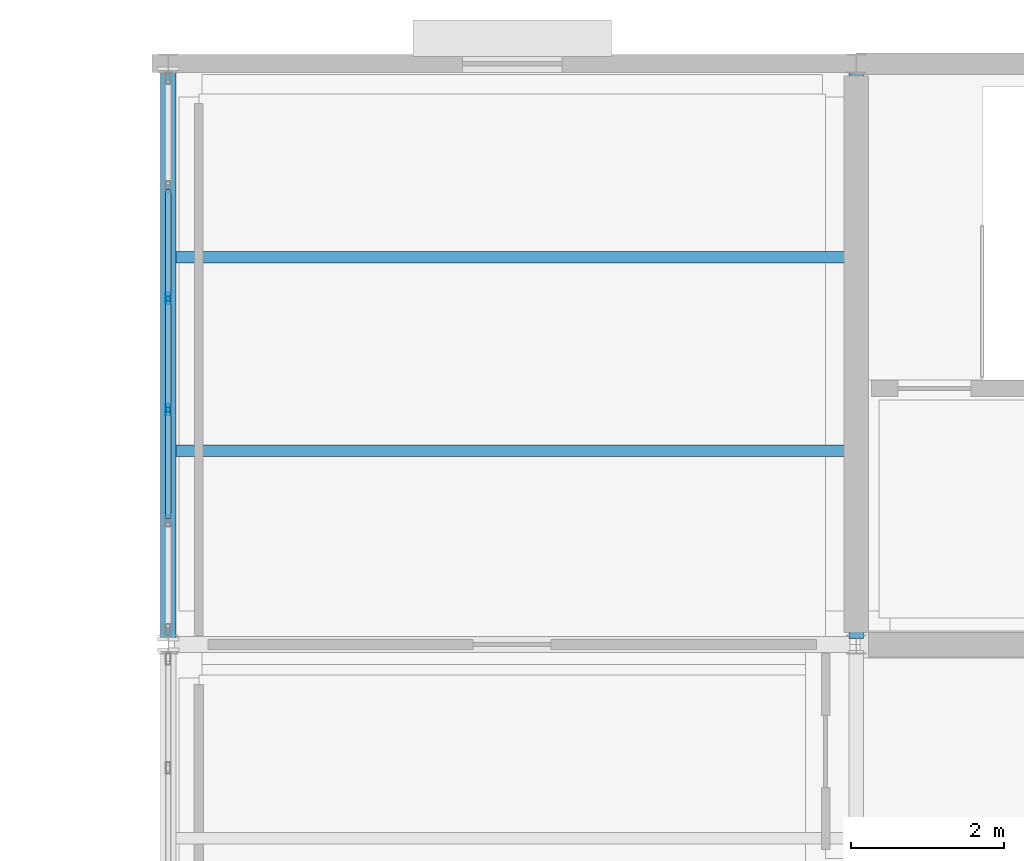
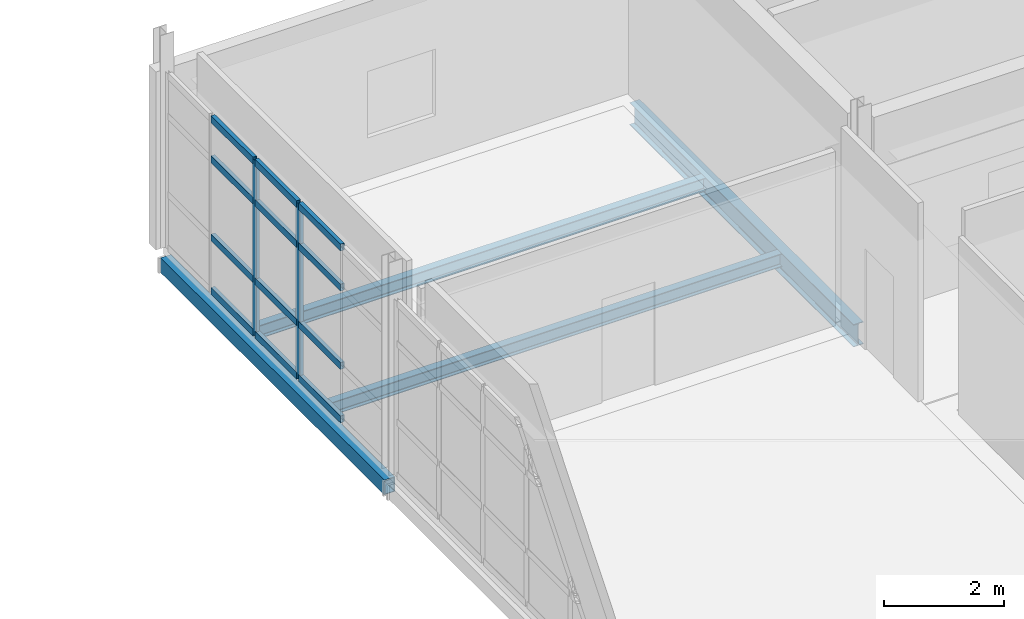
# One storey, part 26 of 48: 14 members, 4 beams, 1 element without a shape of its own.
"""IFC4 building model written with IfcOpenShell, lengths in metres."""

import ifcopenshell
import ifcopenshell.guid

model = None  # the IFC model being written
_history = None  # IfcOwnerHistory: only IFC2X3 demands one
_inside = {}  # id of a spatial element -> (the spatial element, [elements in it])
_under = {}  # id of a project, library or spatial element -> (it, [spatial elements below it])
_declared = {}  # id of a project -> (the project, [libraries it declares])
_typed = {}  # id of a type object -> (the type object, [elements of that type])
_made_of = {}  # id of a material, layer set ... -> (it, [elements and type objects made of it])


def new_model(schema):
    """Start an empty IFC model of exactly this schema.

    Asked for "IFC4X3", IfcOpenShell would pick the latest addendum, in which some entities
    have other attributes; the version numbers below select the first issue.
    IFC2X3 requires an IfcOwnerHistory on every rooted entity: one is made here for all.
    """
    global model, _history
    if schema == "IFC4X3":
        model = ifcopenshell.file(schema_version=(4, 3, 0, 0))
    else:
        model = ifcopenshell.file(schema=schema)
    _inside.clear()
    _under.clear()
    _declared.clear()
    _typed.clear()
    _made_of.clear()
    _history = None
    if model.schema == "IFC2X3":
        org = make("IfcOrganization", Name="unknown")
        user = make(
            "IfcPersonAndOrganization",
            ThePerson=make("IfcPerson", FamilyName="unknown"),
            TheOrganization=org,
        )
        app = make(
            "IfcApplication",
            ApplicationDeveloper=org,
            Version="unknown",
            ApplicationFullName="unknown",
            ApplicationIdentifier="unknown",
        )
        _history = make(
            "IfcOwnerHistory",
            OwningUser=user,
            OwningApplication=app,
            ChangeAction="ADDED",
            CreationDate=0,
        )
    return model


def make(cls, **values):
    """One entity of the class cls with the attributes given. An attribute that is None is left unset."""
    return model.create_entity(
        cls, **{name: value for name, value in values.items() if value is not None}
    )


def rooted(cls, **values):
    """An entity with a GlobalId (a new one), such as an element, a storey or a relation."""
    return make(cls, GlobalId=ifcopenshell.guid.new(), OwnerHistory=_history, **values)


def si_unit(unit_type, name, prefix=None):
    """IfcSIUnit, for example si_unit("LENGTHUNIT", "METRE", prefix="MILLI")."""
    return make("IfcSIUnit", UnitType=unit_type, Prefix=prefix, Name=name)


def assignment(units):
    """IfcUnitAssignment: the units of a project."""
    return None if units is None else make("IfcUnitAssignment", Units=units)


def point(xyz):
    """IfcCartesianPoint."""
    return None if xyz is None else make("IfcCartesianPoint", Coordinates=xyz)


def direction(xyz):
    """IfcDirection."""
    return None if xyz is None else make("IfcDirection", DirectionRatios=xyz)


def frame(location, z_axis=None, x_axis=None):
    """IfcAxis2Placement3D, a coordinate frame: its origin and axes. An axis left out is left unset."""
    return make(
        "IfcAxis2Placement3D",
        Location=point(location),
        Axis=direction(z_axis),
        RefDirection=direction(x_axis),
    )


def frame_2d(location, x_axis=None):
    """IfcAxis2Placement2D, a coordinate frame in the plane: its origin and x axis."""
    return make(
        "IfcAxis2Placement2D", Location=point(location), RefDirection=direction(x_axis)
    )


def origin():
    """The frame at (0, 0, 0) with its axes left unset."""
    return frame((0.0, 0.0, 0.0))


def origin_2d():
    """The frame at (0, 0) in the plane with its x axis left unset."""
    return frame_2d((0.0, 0.0))


def place(relative_to, where):
    """IfcLocalPlacement: puts the frame where relative to a parent placement (None: the world)."""
    return make(
        "IfcLocalPlacement", PlacementRelTo=relative_to, RelativePlacement=where
    )


def context(
    kind, dimensions, precision=None, world=None, true_north=None, identifier=None
):
    """IfcGeometricRepresentationContext, for example the 3D "Model" context."""
    return make(
        "IfcGeometricRepresentationContext",
        ContextIdentifier=identifier,
        ContextType=kind,
        CoordinateSpaceDimension=dimensions,
        Precision=precision,
        WorldCoordinateSystem=world,
        TrueNorth=true_north,
    )


def subcontext(parent, identifier, kind, view, scale=None):
    """IfcGeometricRepresentationSubContext, for example "Body" below "Model"."""
    return make(
        "IfcGeometricRepresentationSubContext",
        ContextIdentifier=identifier,
        ContextType=kind,
        ParentContext=parent,
        TargetScale=scale,
        TargetView=view,
    )


def project(units=None, contexts=None):
    """IfcProject with its units and contexts."""
    return rooted(
        "IfcProject",
        Name="project",
        RepresentationContexts=contexts,
        UnitsInContext=assignment(units),
    )


def spatial(cls, under=None, at=None, **own):
    """A site, building, storey or space (cls), placed at a placement, below another one or the project."""
    s = rooted(cls, ObjectPlacement=at, **own)
    if under is not None:
        _under.setdefault(under.id(), (under, []))[1].append(s)
    return s


def profile(cls, at=None, kind="AREA", **sizes):
    """A parametric profile (cls). Its sizes go by their IFC names, for example OverallWidth=200.0."""
    return make(cls, ProfileType=kind, Position=at, **sizes)


def hollow_rectangle(**sizes):
    """IfcRectangleHollowProfileDef."""
    return profile("IfcRectangleHollowProfileDef", **sizes)


def i_section(**sizes):
    """IfcIShapeProfileDef."""
    return profile("IfcIShapeProfileDef", **sizes)


def extrude(swept, where, along, depth):
    """IfcExtrudedAreaSolid: the profile swept, set in the frame where, extruded along a direction by depth."""
    return make(
        "IfcExtrudedAreaSolid",
        SweptArea=swept,
        Position=where,
        ExtrudedDirection=direction(along),
        Depth=depth,
    )


def shape(context_of_items, identifier, shape_type, items):
    """IfcShapeRepresentation: the items that make up one representation, for example the "Body"."""
    return make(
        "IfcShapeRepresentation",
        ContextOfItems=context_of_items,
        RepresentationIdentifier=identifier,
        RepresentationType=shape_type,
        Items=items,
    )


def material(Name=None, Category=None):
    """IfcMaterial."""
    return make("IfcMaterial", Name=Name, Category=Category)


def material_profile(
    of_material, cross_section, Name=None, Category=None, Priority=None
):
    """IfcMaterialProfile: a cross section and its material."""
    return make(
        "IfcMaterialProfile",
        Name=Name,
        Material=of_material,
        Profile=cross_section,
        Priority=Priority,
        Category=Category,
    )


def profile_set(profiles, Name=None, composite=None):
    """IfcMaterialProfileSet."""
    return make(
        "IfcMaterialProfileSet",
        Name=Name,
        MaterialProfiles=profiles,
        CompositeProfile=composite,
    )


def made_of(thing, what):
    """Note that an element or type object is made of a material, layer set ...; save() writes the relation."""
    if what is not None:
        _made_of.setdefault(what.id(), (what, []))[1].append(thing)
    return thing


def type_object(cls, material=None, **own):
    """A type object (cls), such as IfcWallType, which elements share."""
    return made_of(rooted(cls, **own), material)


def element(
    cls,
    number,
    at=None,
    inside=None,
    cuts=None,
    type_object=None,
    material=None,
    context=None,
    identifier="Body",
    shape_type=None,
    held_by="IfcProductDefinitionShape",
    body=None,
    shapes=None,
    **own,
):
    """One element of the class cls, such as IfcWall. Its Tag is "e" and its number.

    at: its placement. inside: the storey or other place that contains it. cuts: it is an
    opening in that element (IfcRelVoidsElement). A single representation is given by context,
    identifier, shape_type and body (its items); several are given by shapes. held_by: the class
    of the entity that holds the representations. save() writes the other relations.
    """
    e = rooted(cls, Tag="e%d" % number, ObjectPlacement=at, **own)
    if body is not None:
        shapes = [shape(context, identifier, shape_type, body)]
    if shapes is not None:
        e.Representation = make(held_by, Representations=shapes)
    if inside is not None:
        _inside.setdefault(inside.id(), (inside, []))[1].append(e)
    if cuts is not None:
        rooted(
            "IfcRelVoidsElement", RelatingBuildingElement=cuts, RelatedOpeningElement=e
        )
    if type_object is not None:
        _typed.setdefault(type_object.id(), (type_object, []))[1].append(e)
    return made_of(e, material)


def aggregate(whole, parts):
    """IfcRelAggregates: a whole, such as a stair, and the parts it consists of."""
    return rooted("IfcRelAggregates", RelatingObject=whole, RelatedObjects=parts)


def save(model, path):
    """Write the relations noted so far, then the file.

    IfcRelAggregates (storeys below a building ...), IfcRelContainedInSpatialStructure (elements
    in a storey), IfcRelDefinesByType, IfcRelAssociatesMaterial and IfcRelDeclares: one each for
    every whole, place, type object, material and project.
    """
    for whole, parts in _under.values():
        aggregate(whole, parts)
    for where, things in _inside.values():
        rooted(
            "IfcRelContainedInSpatialStructure",
            RelatedElements=things,
            RelatingStructure=where,
        )
    for kind, things in _typed.values():
        rooted("IfcRelDefinesByType", RelatedObjects=things, RelatingType=kind)
    for what, things in _made_of.values():
        rooted("IfcRelAssociatesMaterial", RelatedObjects=things, RelatingMaterial=what)
    for by, libraries in _declared.values():
        rooted("IfcRelDeclares", RelatingContext=by, RelatedDefinitions=libraries)
    model.write(path)


model = new_model("IFC4")

# Units and contexts
model_context = context("Model", 3, precision=1e-05, world=origin(), true_north=direction((0.0, 1.0)))
body_context = subcontext(model_context, "Body", "Model", "MODEL_VIEW")
ifc_project = project(units=[si_unit("LENGTHUNIT", "METRE"), si_unit("AREAUNIT", "SQUARE_METRE"), si_unit("VOLUMEUNIT", "CUBIC_METRE"), si_unit("PLANEANGLEUNIT", "RADIAN"), si_unit("MASSUNIT", "GRAM", prefix="KILO")], contexts=[model_context])

# Site, building, storey
site_placement = place(None, origin())
site = spatial("IfcSite", under=ifc_project, at=site_placement, CompositionType="ELEMENT")
building_placement = place(site_placement, origin())
building = spatial("IfcBuilding", under=site, at=building_placement, Name="Caisbarro Railhouse Central Library", CompositionType="ELEMENT")
storey_placement = place(building_placement, frame((0.0, 0.0, 18.0)))
storey = spatial("IfcBuildingStorey", under=building, at=storey_placement, Name="L04", CompositionType="ELEMENT", Elevation=18.0)

# Beams
ifc_material_1 = material(Name="Steel ASTM A572 Grade 50", Category="steel")
ifc_material_profile_1 = material_profile(ifc_material_1, i_section(OverallWidth=0.18994140625, OverallDepth=0.45703125, WebThickness=0.009033203125, FlangeThickness=0.014404296875, FilletRadius=0.01806640625, at=origin_2d()), Name="W460X74.0")
ifc_profile_set_1 = profile_set([ifc_material_profile_1], Name="Steel ASTM A572 Grade 50")
beam_type_1 = type_object("IfcBeamType", Name="BM-G08", PredefinedType="BEAM", material=ifc_profile_set_1)
beam_1_placement = place(storey_placement, frame((126.0, 106.47998046875, -0.448486328125), z_axis=(0.0, 1.0, 0.0), x_axis=(-1.0, 0.0, 0.0)))
element("IfcBeam", 1, at=beam_1_placement, inside=storey, type_object=beam_type_1, Name="G08 beam L04 #2105", PredefinedType="BEAM", context=body_context, shape_type="SweptSolid", body=[
    extrude(i_section(OverallWidth=0.18994140625, OverallDepth=0.45703125, WebThickness=0.009033203125, FlangeThickness=0.014404296875, FilletRadius=0.01806640625, at=origin_2d()), origin(), (0.0, 0.0, 1.0), 7.43994140625),
])
ifc_material_profile_2 = material_profile(ifc_material_1, i_section(OverallWidth=0.14794921875, OverallDepth=0.26611328125, WebThickness=0.007568359375, FlangeThickness=0.012939453125, FilletRadius=0.010009765625, at=origin_2d()), Name="W250X44.8")
ifc_profile_set_2 = profile_set([ifc_material_profile_2], Name="Steel ASTM A572 Grade 50")
beam_type_2 = type_object("IfcBeamType", Name="BM-J04", PredefinedType="JOIST", material=ifc_profile_set_2)
for number, where, z_axis, x_axis, name in (
    (2, (117.10009765625, 108.933349609375, -0.35302734375), (1.0, 0.0, 0.0), (0.0, 1.0, 0.0), "J04 beam L04 #2126"),
    (3, (117.10009765625, 111.466796875, -0.35302734375), (1.0, 0.0, 0.0), (0.0, 1.0, 0.0), "J04 beam L04 #2127"),
):
    element("IfcBeam", number, at=place(storey_placement, frame(where, z_axis=z_axis, x_axis=x_axis)), inside=storey, type_object=beam_type_2, Name=name, PredefinedType="JOIST", context=body_context, shape_type="SweptSolid", body=[
        extrude(i_section(OverallWidth=0.14794921875, OverallDepth=0.26611328125, WebThickness=0.007568359375, FlangeThickness=0.012939453125, FilletRadius=0.010009765625, at=origin_2d()), origin(), (0.0, 0.0, 1.0), 8.804931640625),
    ])
ifc_material_profile_3 = material_profile(ifc_material_1, hollow_rectangle(XDim=0.199951171875, YDim=0.300048828125, WallThickness=0.012451171875, at=origin_2d()), Name="HSS300X200X12.5")
ifc_profile_set_3 = profile_set([ifc_material_profile_3], Name="Steel ASTM A572 Grade 50")
beam_type_3 = type_object("IfcBeamType", Name="BM-SP02", PredefinedType="SPANDREL", material=ifc_profile_set_3)
beam_2_placement = place(storey_placement, frame((117.0, 106.47998046875, -0.3701171875), z_axis=(0.0, 1.0, 0.0), x_axis=(-1.0, 0.0, 0.0)))
element("IfcBeam", 4, at=beam_2_placement, inside=storey, type_object=beam_type_3, Name="SP02 beam L04 #2099", PredefinedType="SPANDREL", context=body_context, shape_type="SweptSolid", body=[
    extrude(hollow_rectangle(XDim=0.199951171875, YDim=0.300048828125, WallThickness=0.012451171875, at=origin_2d()), origin(), (0.0, 0.0, 1.0), 7.43994140625),
])

# Curtain wall, members
ifc_material_2 = material(Name="Anodised architectural aluminium", Category="aluminium")
curtain_wall_type = type_object("IfcCurtainWallType", Name="CW-CW02", PredefinedType="NOTDEFINED", material=ifc_material_2)
curtain_wall_placement = place(storey_placement, origin())
curtain_wall = element("IfcCurtainWall", 5, at=curtain_wall_placement, inside=storey, type_object=curtain_wall_type, Name="CW02 curtain wall L04 #160", PredefinedType="NOTDEFINED")
ifc_material_profile_4 = material_profile(ifc_material_2, hollow_rectangle(XDim=0.06494140625, YDim=0.14990234375, WallThickness=0.00390625, at=origin_2d()), Name="ALU-MUL-65X150")
ifc_profile_set_4 = profile_set([ifc_material_profile_4], Name="Anodised architectural aluminium")
member_type_1 = type_object("IfcMemberType", Name="CWM-M02", PredefinedType="MULLION", material=ifc_profile_set_4)
member_1_placement = place(storey_placement, frame((117.0, 109.471923828125, 0.0), z_axis=(0.0, 0.0, 1.0), x_axis=(-1.0, 0.0, 0.0)))
member_1 = element("IfcMember", 6, at=member_1_placement, type_object=member_type_1, Name="CW02 mullion 3", PredefinedType="MULLION", context=body_context, shape_type="SweptSolid", body=[
    extrude(hollow_rectangle(XDim=0.06494140625, YDim=0.14990234375, WallThickness=0.00390625, at=origin_2d()), origin(), (0.0, 0.0, 1.0), 3.56005859375),
])
member_2_placement = place(storey_placement, frame((117.0, 110.927978515625, 0.0), z_axis=(0.0, 0.0, 1.0), x_axis=(-1.0, 0.0, 0.0)))
member_2 = element("IfcMember", 7, at=member_2_placement, type_object=member_type_1, Name="CW02 mullion 4", PredefinedType="MULLION", context=body_context, shape_type="SweptSolid", body=[
    extrude(hollow_rectangle(XDim=0.06494140625, YDim=0.14990234375, WallThickness=0.00390625, at=origin_2d()), origin(), (0.0, 0.0, 1.0), 3.56005859375),
])
ifc_material_profile_5 = material_profile(ifc_material_2, hollow_rectangle(XDim=0.074951171875, YDim=0.139892578125, WallThickness=0.00390625, at=origin_2d()), Name="ALU-TRN-75X140")
ifc_profile_set_5 = profile_set([ifc_material_profile_5], Name="Anodised architectural aluminium")
member_type_2 = type_object("IfcMemberType", Name="CWT-T01", PredefinedType="USERDEFINED", material=ifc_profile_set_5)
member_3_placement = place(storey_placement, frame((117.0, 108.048583984375, 0.03759765625), z_axis=(0.0, 1.0, 0.0), x_axis=(-1.0, 0.0, 0.0)))
member_3 = element("IfcMember", 8, at=member_3_placement, type_object=member_type_2, Name="CW02 transom 2.1", ObjectType="TRANSOM", PredefinedType="USERDEFINED", context=body_context, shape_type="SweptSolid", body=[
    extrude(hollow_rectangle(XDim=0.074951171875, YDim=0.139892578125, WallThickness=0.00390625, at=origin_2d()), origin(), (0.0, 0.0, 1.0), 1.390869140625),
])
member_4_placement = place(storey_placement, frame((117.0, 108.048583984375, 1.1201171875), z_axis=(0.0, 1.0, 0.0), x_axis=(-1.0, 0.0, 0.0)))
member_4 = element("IfcMember", 9, at=member_4_placement, type_object=member_type_2, Name="CW02 transom 2.2", ObjectType="TRANSOM", PredefinedType="USERDEFINED", context=body_context, shape_type="SweptSolid", body=[
    extrude(hollow_rectangle(XDim=0.074951171875, YDim=0.139892578125, WallThickness=0.00390625, at=origin_2d()), origin(), (0.0, 0.0, 1.0), 1.390869140625),
])
member_5_placement = place(storey_placement, frame((117.0, 108.048583984375, 2.7099609375), z_axis=(0.0, 1.0, 0.0), x_axis=(-1.0, 0.0, 0.0)))
member_5 = element("IfcMember", 10, at=member_5_placement, type_object=member_type_2, Name="CW02 transom 2.3", ObjectType="TRANSOM", PredefinedType="USERDEFINED", context=body_context, shape_type="SweptSolid", body=[
    extrude(hollow_rectangle(XDim=0.074951171875, YDim=0.139892578125, WallThickness=0.00390625, at=origin_2d()), origin(), (0.0, 0.0, 1.0), 1.390869140625),
])
member_6_placement = place(storey_placement, frame((117.0, 108.048583984375, 3.5224609375), z_axis=(0.0, 1.0, 0.0), x_axis=(-1.0, 0.0, 0.0)))
member_6 = element("IfcMember", 11, at=member_6_placement, type_object=member_type_2, Name="CW02 transom 2.4", ObjectType="TRANSOM", PredefinedType="USERDEFINED", context=body_context, shape_type="SweptSolid", body=[
    extrude(hollow_rectangle(XDim=0.074951171875, YDim=0.139892578125, WallThickness=0.00390625, at=origin_2d()), origin(), (0.0, 0.0, 1.0), 1.390869140625),
])
member_7_placement = place(storey_placement, frame((117.0, 109.50439453125, 0.03759765625), z_axis=(0.0, 1.0, 0.0), x_axis=(-1.0, 0.0, 0.0)))
member_7 = element("IfcMember", 12, at=member_7_placement, type_object=member_type_2, Name="CW02 transom 3.1", ObjectType="TRANSOM", PredefinedType="USERDEFINED", context=body_context, shape_type="SweptSolid", body=[
    extrude(hollow_rectangle(XDim=0.074951171875, YDim=0.139892578125, WallThickness=0.00390625, at=origin_2d()), origin(), (0.0, 0.0, 1.0), 1.39111328125),
])
member_8_placement = place(storey_placement, frame((117.0, 109.50439453125, 1.1201171875), z_axis=(0.0, 1.0, 0.0), x_axis=(-1.0, 0.0, 0.0)))
member_8 = element("IfcMember", 13, at=member_8_placement, type_object=member_type_2, Name="CW02 transom 3.2", ObjectType="TRANSOM", PredefinedType="USERDEFINED", context=body_context, shape_type="SweptSolid", body=[
    extrude(hollow_rectangle(XDim=0.074951171875, YDim=0.139892578125, WallThickness=0.00390625, at=origin_2d()), origin(), (0.0, 0.0, 1.0), 1.39111328125),
])
member_9_placement = place(storey_placement, frame((117.0, 109.50439453125, 2.7099609375), z_axis=(0.0, 1.0, 0.0), x_axis=(-1.0, 0.0, 0.0)))
member_9 = element("IfcMember", 14, at=member_9_placement, type_object=member_type_2, Name="CW02 transom 3.3", ObjectType="TRANSOM", PredefinedType="USERDEFINED", context=body_context, shape_type="SweptSolid", body=[
    extrude(hollow_rectangle(XDim=0.074951171875, YDim=0.139892578125, WallThickness=0.00390625, at=origin_2d()), origin(), (0.0, 0.0, 1.0), 1.39111328125),
])
member_10_placement = place(storey_placement, frame((117.0, 109.50439453125, 3.5224609375), z_axis=(0.0, 1.0, 0.0), x_axis=(-1.0, 0.0, 0.0)))
member_10 = element("IfcMember", 15, at=member_10_placement, type_object=member_type_2, Name="CW02 transom 3.4", ObjectType="TRANSOM", PredefinedType="USERDEFINED", context=body_context, shape_type="SweptSolid", body=[
    extrude(hollow_rectangle(XDim=0.074951171875, YDim=0.139892578125, WallThickness=0.00390625, at=origin_2d()), origin(), (0.0, 0.0, 1.0), 1.39111328125),
])
member_11_placement = place(storey_placement, frame((117.0, 110.96044921875, 0.03759765625), z_axis=(0.0, 1.0, 0.0), x_axis=(-1.0, 0.0, 0.0)))
member_11 = element("IfcMember", 16, at=member_11_placement, type_object=member_type_2, Name="CW02 transom 4.1", ObjectType="TRANSOM", PredefinedType="USERDEFINED", context=body_context, shape_type="SweptSolid", body=[
    extrude(hollow_rectangle(XDim=0.074951171875, YDim=0.139892578125, WallThickness=0.00390625, at=origin_2d()), origin(), (0.0, 0.0, 1.0), 1.39111328125),
])
member_12_placement = place(storey_placement, frame((117.0, 110.96044921875, 1.1201171875), z_axis=(0.0, 1.0, 0.0), x_axis=(-1.0, 0.0, 0.0)))
member_12 = element("IfcMember", 17, at=member_12_placement, type_object=member_type_2, Name="CW02 transom 4.2", ObjectType="TRANSOM", PredefinedType="USERDEFINED", context=body_context, shape_type="SweptSolid", body=[
    extrude(hollow_rectangle(XDim=0.074951171875, YDim=0.139892578125, WallThickness=0.00390625, at=origin_2d()), origin(), (0.0, 0.0, 1.0), 1.39111328125),
])
member_13_placement = place(storey_placement, frame((117.0, 110.96044921875, 2.7099609375), z_axis=(0.0, 1.0, 0.0), x_axis=(-1.0, 0.0, 0.0)))
member_13 = element("IfcMember", 18, at=member_13_placement, type_object=member_type_2, Name="CW02 transom 4.3", ObjectType="TRANSOM", PredefinedType="USERDEFINED", context=body_context, shape_type="SweptSolid", body=[
    extrude(hollow_rectangle(XDim=0.074951171875, YDim=0.139892578125, WallThickness=0.00390625, at=origin_2d()), origin(), (0.0, 0.0, 1.0), 1.39111328125),
])
member_14_placement = place(storey_placement, frame((117.0, 110.96044921875, 3.5224609375), z_axis=(0.0, 1.0, 0.0), x_axis=(-1.0, 0.0, 0.0)))
member_14 = element("IfcMember", 19, at=member_14_placement, type_object=member_type_2, Name="CW02 transom 4.4", ObjectType="TRANSOM", PredefinedType="USERDEFINED", context=body_context, shape_type="SweptSolid", body=[
    extrude(hollow_rectangle(XDim=0.074951171875, YDim=0.139892578125, WallThickness=0.00390625, at=origin_2d()), origin(), (0.0, 0.0, 1.0), 1.39111328125),
])
aggregate(curtain_wall, [member_1, member_2, member_3, member_4, member_5, member_6, member_7, member_8, member_9, member_10, member_11, member_12, member_13, member_14])

save(model, "model.ifc")
